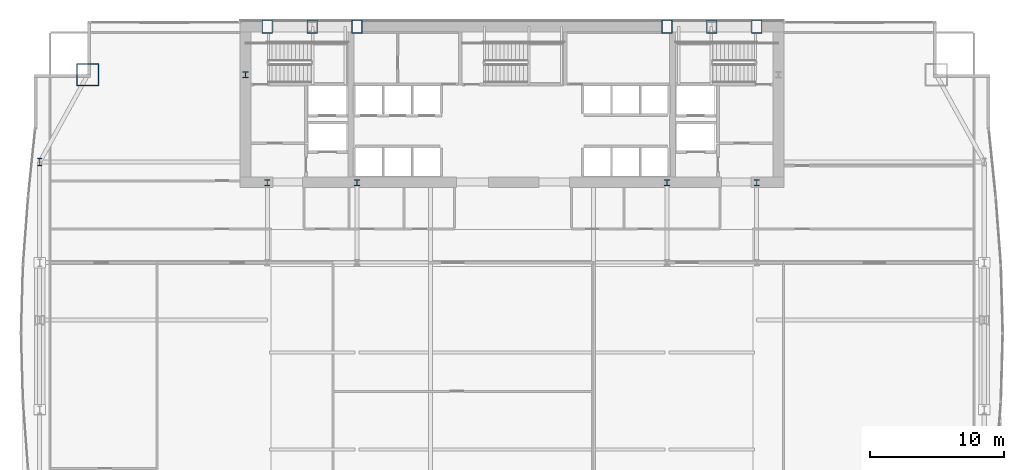
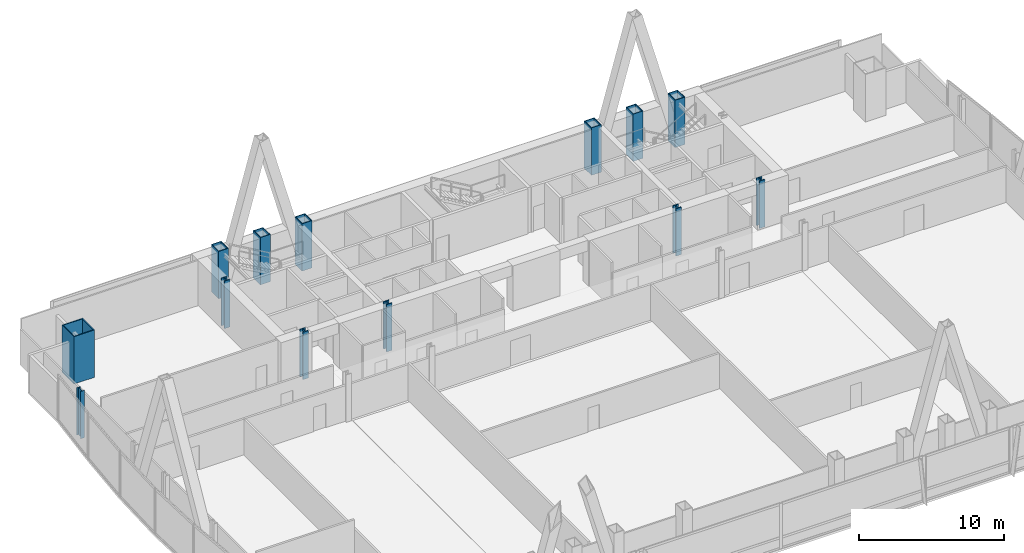
# One storey, part 3 of 35: 13 columns.
"""IFC4 building model written with IfcOpenShell, lengths in metres."""

from ifc_helpers import new_model, si_unit, direction, frame, origin, origin_2d, place, context, subcontext, project, spatial, hollow_rectangle, i_section, extrude, material, material_profile, profile_set, type_object, element, save


model = new_model("IFC4")

# Units and contexts
model_context = context("Model", 3, precision=1e-05, world=origin(), true_north=direction((0.0, 1.0)))
body_context = subcontext(model_context, "Body", "Model", "MODEL_VIEW")
ifc_project = project(units=[si_unit("LENGTHUNIT", "METRE"), si_unit("AREAUNIT", "SQUARE_METRE"), si_unit("VOLUMEUNIT", "CUBIC_METRE"), si_unit("PLANEANGLEUNIT", "RADIAN"), si_unit("MASSUNIT", "GRAM", prefix="KILO")], contexts=[model_context])

# Site, building, storey
site_placement = place(None, origin())
site = spatial("IfcSite", under=ifc_project, at=site_placement, CompositionType="ELEMENT")
building_placement = place(site_placement, origin())
building = spatial("IfcBuilding", under=site, at=building_placement, Name="Khoronbel Lancet Exchange", CompositionType="ELEMENT")
storey_placement = place(building_placement, frame((0.0, 0.0, 25.800048828125)))
storey = spatial("IfcBuildingStorey", under=building, at=storey_placement, Name="L05", CompositionType="ELEMENT", Elevation=25.800048828125)

# Columns
ifc_material_1 = material(Name="Steel S460", Category="steel")
ifc_material_profile_1 = material_profile(ifc_material_1, hollow_rectangle(XDim=0.800048828125, YDim=1.0, WallThickness=0.054931640625, at=origin_2d()), Name="BOX 1000x800x55")
ifc_profile_set_1 = profile_set([ifc_material_profile_1], Name="Steel S460")
column_type_1 = type_object("IfcColumnType", Name="COL-EC1", PredefinedType="COLUMN", material=ifc_profile_set_1)
for number, where, z_axis, x_axis, name in (
    (1, (18.22509765625, 53.280029296875, 0.0), (0.0, 0.0, 1.0), (1.0, 0.0, 0.0), "Structural column NC-W1 L05"),
    (2, (21.5625, 53.280029296875, 0.0), (0.0, 0.0, 1.0), (1.0, 0.0, 0.0), "Structural column NC-WM L05"),
    (3, (24.89990234375, 53.280029296875, 0.0), (0.0, 0.0, 1.0), (1.0, 0.0, 0.0), "Structural column NC-W2 L05"),
    (4, (48.0, 53.280029296875, 0.0), (0.0, 0.0, 1.0), (1.0, 0.0, 0.0), "Structural column NC-E1 L05"),
    (5, (51.33740234375, 53.280029296875, 0.0), (0.0, 0.0, 1.0), (1.0, 0.0, 0.0), "Structural column NC-EM L05"),
    (6, (54.675048828125, 53.280029296875, 0.0), (0.0, 0.0, 1.0), (1.0, 0.0, 0.0), "Structural column NC-E2 L05"),
):
    element("IfcColumn", number, at=place(storey_placement, frame(where, z_axis=z_axis, x_axis=x_axis)), inside=storey, type_object=column_type_1, Name=name, PredefinedType="COLUMN", context=body_context, shape_type="SweptSolid", body=[
        extrude(hollow_rectangle(XDim=0.800048828125, YDim=1.0, WallThickness=0.054931640625, at=origin_2d()), origin(), (0.0, 0.0, 1.0), 4.0),
    ])
ifc_material_profile_2 = material_profile(ifc_material_1, i_section(OverallWidth=0.424072265625, OverallDepth=0.47412109375, WebThickness=0.047607421875, FlangeThickness=0.076904296875, at=origin_2d()), Name="HD 400x634")
ifc_profile_set_2 = profile_set([ifc_material_profile_2], Name="Steel S460")
column_type_2 = type_object("IfcColumnType", Name="COL-IC1", PredefinedType="COLUMN", material=ifc_profile_set_2)
for number, where, z_axis, x_axis, name in (
    (7, (16.60009765625, 49.699951171875, 0.0), (0.0, 0.0, 1.0), (1.0, 0.0, 0.0), "Core-flank plumb transfer column CFW L05"),
    (8, (18.22509765625, 41.64990234375, 0.0), (0.0, 0.0, 1.0), (1.0, 0.0, 0.0), "Core-embedded steel column CTC1 L05"),
    (9, (24.89990234375, 41.64990234375, 0.0), (0.0, 0.0, 1.0), (1.0, 0.0, 0.0), "Core-embedded steel column CTC2 L05"),
    (10, (48.0, 41.64990234375, 0.0), (0.0, 0.0, 1.0), (1.0, 0.0, 0.0), "Core-embedded steel column CTC3 L05"),
    (11, (54.675048828125, 41.64990234375, 0.0), (0.0, 0.0, 1.0), (1.0, 0.0, 0.0), "Core-embedded steel column CTC4 L05"),
):
    element("IfcColumn", number, at=place(storey_placement, frame(where, z_axis=z_axis, x_axis=x_axis)), inside=storey, type_object=column_type_2, Name=name, PredefinedType="COLUMN", context=body_context, shape_type="SweptSolid", body=[
        extrude(i_section(OverallWidth=0.424072265625, OverallDepth=0.47412109375, WebThickness=0.047607421875, FlangeThickness=0.076904296875, at=origin_2d()), origin(), (0.0, 0.0, 1.0), 4.0),
    ])
ifc_material_2 = material(Name="Steel S355", Category="steel")
ifc_material_profile_3 = material_profile(ifc_material_2, i_section(OverallWidth=0.300048828125, OverallDepth=0.550048828125, WebThickness=0.014892578125, FlangeThickness=0.029052734375, at=origin_2d()), Name="HEB 550")
ifc_profile_set_3 = profile_set([ifc_material_profile_3], Name="Steel S355")
column_type_3 = type_object("IfcColumnType", Name="COL-LC1", PredefinedType="COLUMN", material=ifc_profile_set_3)
column_1_placement = place(storey_placement, frame((1.27001953125, 43.199951171875, 0.0), z_axis=(0.0, 0.0, 1.0), x_axis=(1.0, 0.0, 0.0)))
element("IfcColumn", 12, at=column_1_placement, inside=storey, type_object=column_type_3, Name="Structural column WC-4 L05", PredefinedType="COLUMN", context=body_context, shape_type="SweptSolid", body=[
    extrude(i_section(OverallWidth=0.300048828125, OverallDepth=0.550048828125, WebThickness=0.014892578125, FlangeThickness=0.029052734375, at=origin_2d()), origin(), (0.0, 0.0, 1.0), 4.0),
])
ifc_material_profile_4 = material_profile(ifc_material_1, hollow_rectangle(XDim=1.64990234375, YDim=1.64990234375, WallThickness=0.074951171875, at=origin_2d()), Name="BOX 1650x1650x75")
ifc_profile_set_4 = profile_set([ifc_material_profile_4], Name="Steel S460")
column_type_4 = type_object("IfcColumnType", Name="COL-MC2", PredefinedType="COLUMN", material=ifc_profile_set_4)
column_2_placement = place(storey_placement, frame((4.85009765625, 49.699951171875, 0.0), z_axis=(0.0, 0.0, 1.0), x_axis=(1.0, 0.0, 0.0)))
element("IfcColumn", 13, at=column_2_placement, inside=storey, type_object=column_type_4, Name="Structural column MC-NW L05", PredefinedType="COLUMN", context=body_context, shape_type="SweptSolid", body=[
    extrude(hollow_rectangle(XDim=1.64990234375, YDim=1.64990234375, WallThickness=0.074951171875, at=origin_2d()), origin(), (0.0, 0.0, 1.0), 4.0),
])

save(model, "model.ifc")
